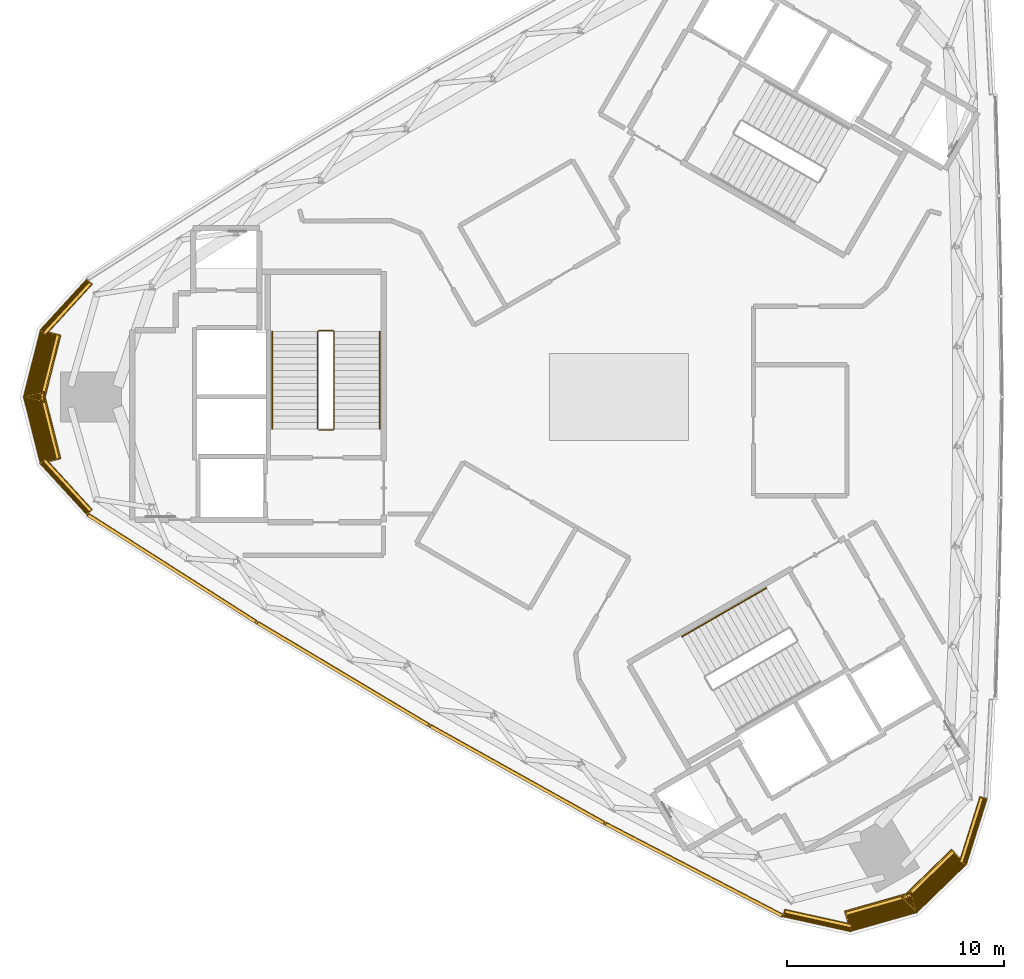
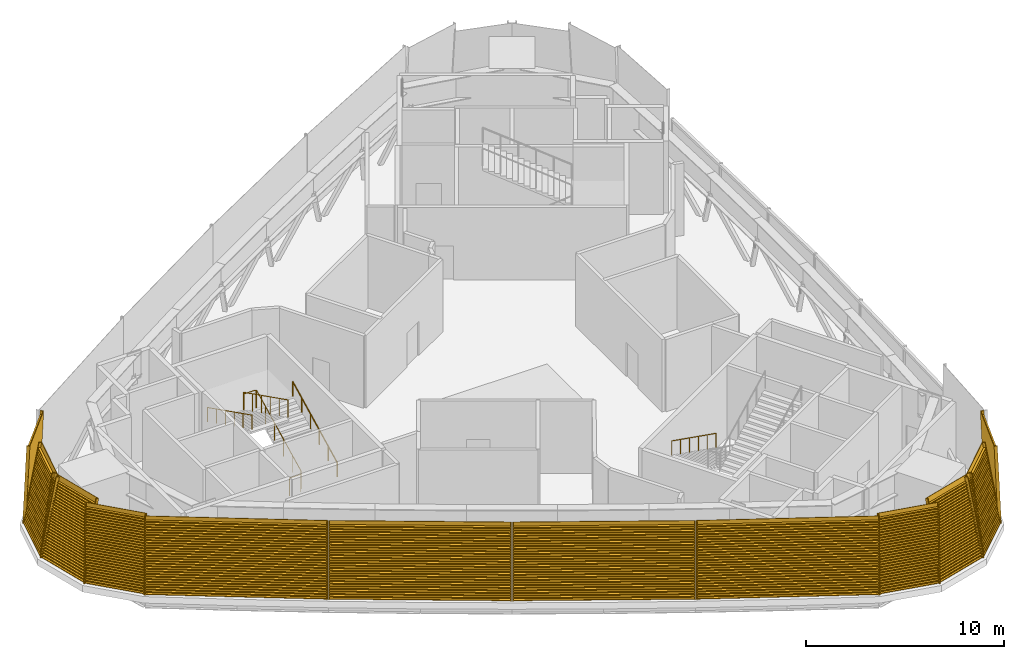
# One storey, part 16 of 18: 12 coverings, 4 railings.
"""IFC4 building model written with IfcOpenShell, lengths in metres."""

import ifcopenshell
import ifcopenshell.guid

model = None  # the IFC model being written
_history = None  # IfcOwnerHistory: only IFC2X3 demands one
_inside = {}  # id of a spatial element -> (the spatial element, [elements in it])
_under = {}  # id of a project, library or spatial element -> (it, [spatial elements below it])
_declared = {}  # id of a project -> (the project, [libraries it declares])
_typed = {}  # id of a type object -> (the type object, [elements of that type])
_made_of = {}  # id of a material, layer set ... -> (it, [elements and type objects made of it])


def new_model(schema):
    """Start an empty IFC model of exactly this schema.

    Asked for "IFC4X3", IfcOpenShell would pick the latest addendum, in which some entities
    have other attributes; the version numbers below select the first issue.
    IFC2X3 requires an IfcOwnerHistory on every rooted entity: one is made here for all.
    """
    global model, _history
    if schema == "IFC4X3":
        model = ifcopenshell.file(schema_version=(4, 3, 0, 0))
    else:
        model = ifcopenshell.file(schema=schema)
    _inside.clear()
    _under.clear()
    _declared.clear()
    _typed.clear()
    _made_of.clear()
    _history = None
    if model.schema == "IFC2X3":
        org = make("IfcOrganization", Name="unknown")
        user = make(
            "IfcPersonAndOrganization",
            ThePerson=make("IfcPerson", FamilyName="unknown"),
            TheOrganization=org,
        )
        app = make(
            "IfcApplication",
            ApplicationDeveloper=org,
            Version="unknown",
            ApplicationFullName="unknown",
            ApplicationIdentifier="unknown",
        )
        _history = make(
            "IfcOwnerHistory",
            OwningUser=user,
            OwningApplication=app,
            ChangeAction="ADDED",
            CreationDate=0,
        )
    return model


def make(cls, **values):
    """One entity of the class cls with the attributes given. An attribute that is None is left unset."""
    return model.create_entity(
        cls, **{name: value for name, value in values.items() if value is not None}
    )


def rooted(cls, **values):
    """An entity with a GlobalId (a new one), such as an element, a storey or a relation."""
    return make(cls, GlobalId=ifcopenshell.guid.new(), OwnerHistory=_history, **values)


def si_unit(unit_type, name, prefix=None):
    """IfcSIUnit, for example si_unit("LENGTHUNIT", "METRE", prefix="MILLI")."""
    return make("IfcSIUnit", UnitType=unit_type, Prefix=prefix, Name=name)


def assignment(units):
    """IfcUnitAssignment: the units of a project."""
    return None if units is None else make("IfcUnitAssignment", Units=units)


def point(xyz):
    """IfcCartesianPoint."""
    return None if xyz is None else make("IfcCartesianPoint", Coordinates=xyz)


def direction(xyz):
    """IfcDirection."""
    return None if xyz is None else make("IfcDirection", DirectionRatios=xyz)


def frame(location, z_axis=None, x_axis=None):
    """IfcAxis2Placement3D, a coordinate frame: its origin and axes. An axis left out is left unset."""
    return make(
        "IfcAxis2Placement3D",
        Location=point(location),
        Axis=direction(z_axis),
        RefDirection=direction(x_axis),
    )


def frame_2d(location, x_axis=None):
    """IfcAxis2Placement2D, a coordinate frame in the plane: its origin and x axis."""
    return make(
        "IfcAxis2Placement2D", Location=point(location), RefDirection=direction(x_axis)
    )


def origin():
    """The frame at (0, 0, 0) with its axes left unset."""
    return frame((0.0, 0.0, 0.0))


def origin_2d():
    """The frame at (0, 0) in the plane with its x axis left unset."""
    return frame_2d((0.0, 0.0))


def place(relative_to, where):
    """IfcLocalPlacement: puts the frame where relative to a parent placement (None: the world)."""
    return make(
        "IfcLocalPlacement", PlacementRelTo=relative_to, RelativePlacement=where
    )


def context(
    kind, dimensions, precision=None, world=None, true_north=None, identifier=None
):
    """IfcGeometricRepresentationContext, for example the 3D "Model" context."""
    return make(
        "IfcGeometricRepresentationContext",
        ContextIdentifier=identifier,
        ContextType=kind,
        CoordinateSpaceDimension=dimensions,
        Precision=precision,
        WorldCoordinateSystem=world,
        TrueNorth=true_north,
    )


def subcontext(parent, identifier, kind, view, scale=None):
    """IfcGeometricRepresentationSubContext, for example "Body" below "Model"."""
    return make(
        "IfcGeometricRepresentationSubContext",
        ContextIdentifier=identifier,
        ContextType=kind,
        ParentContext=parent,
        TargetScale=scale,
        TargetView=view,
    )


def project(units=None, contexts=None):
    """IfcProject with its units and contexts."""
    return rooted(
        "IfcProject",
        Name="project",
        RepresentationContexts=contexts,
        UnitsInContext=assignment(units),
    )


def spatial(cls, under=None, at=None, **own):
    """A site, building, storey or space (cls), placed at a placement, below another one or the project."""
    s = rooted(cls, ObjectPlacement=at, **own)
    if under is not None:
        _under.setdefault(under.id(), (under, []))[1].append(s)
    return s


def profile(cls, at=None, kind="AREA", **sizes):
    """A parametric profile (cls). Its sizes go by their IFC names, for example OverallWidth=200.0."""
    return make(cls, ProfileType=kind, Position=at, **sizes)


def rectangle(**sizes):
    """IfcRectangleProfileDef."""
    return profile("IfcRectangleProfileDef", **sizes)


def circle(**sizes):
    """IfcCircleProfileDef."""
    return profile("IfcCircleProfileDef", **sizes)


def extrude(swept, where, along, depth):
    """IfcExtrudedAreaSolid: the profile swept, set in the frame where, extruded along a direction by depth."""
    return make(
        "IfcExtrudedAreaSolid",
        SweptArea=swept,
        Position=where,
        ExtrudedDirection=direction(along),
        Depth=depth,
    )


def shape(context_of_items, identifier, shape_type, items):
    """IfcShapeRepresentation: the items that make up one representation, for example the "Body"."""
    return make(
        "IfcShapeRepresentation",
        ContextOfItems=context_of_items,
        RepresentationIdentifier=identifier,
        RepresentationType=shape_type,
        Items=items,
    )


def source(mapping_origin, context_of_items, identifier, shape_type, items):
    """IfcRepresentationMap: a shape defined once, which mapped items show again and again."""
    return make(
        "IfcRepresentationMap",
        MappingOrigin=mapping_origin,
        MappedRepresentation=shape(context_of_items, identifier, shape_type, items),
    )


def transform(
    local_origin,
    x_axis=None,
    y_axis=None,
    z_axis=None,
    scale=None,
    scale2=None,
    scale3=None,
    uniform=True,
):
    """IfcCartesianTransformationOperator3D, or its non-uniform kind. x_axis, y_axis, z_axis: its Axis1, 2, 3."""
    if uniform:
        return make(
            "IfcCartesianTransformationOperator3D",
            Axis1=direction(x_axis),
            Axis2=direction(y_axis),
            LocalOrigin=point(local_origin),
            Scale=scale,
            Axis3=direction(z_axis),
        )
    return make(
        "IfcCartesianTransformationOperator3DnonUniform",
        Axis1=direction(x_axis),
        Axis2=direction(y_axis),
        LocalOrigin=point(local_origin),
        Scale=scale,
        Axis3=direction(z_axis),
        Scale2=scale2,
        Scale3=scale3,
    )


def mapped(mapping_source, mapping_target):
    """IfcMappedItem: shows the shape of a source again, moved by a transform."""
    return make(
        "IfcMappedItem", MappingSource=mapping_source, MappingTarget=mapping_target
    )


def material(Name=None, Category=None):
    """IfcMaterial."""
    return make("IfcMaterial", Name=Name, Category=Category)


def made_of(thing, what):
    """Note that an element or type object is made of a material, layer set ...; save() writes the relation."""
    if what is not None:
        _made_of.setdefault(what.id(), (what, []))[1].append(thing)
    return thing


def type_object(cls, material=None, **own):
    """A type object (cls), such as IfcWallType, which elements share."""
    return made_of(rooted(cls, **own), material)


def element(
    cls,
    number,
    at=None,
    inside=None,
    cuts=None,
    type_object=None,
    material=None,
    context=None,
    identifier="Body",
    shape_type=None,
    held_by="IfcProductDefinitionShape",
    body=None,
    shapes=None,
    **own,
):
    """One element of the class cls, such as IfcWall. Its Tag is "e" and its number.

    at: its placement. inside: the storey or other place that contains it. cuts: it is an
    opening in that element (IfcRelVoidsElement). A single representation is given by context,
    identifier, shape_type and body (its items); several are given by shapes. held_by: the class
    of the entity that holds the representations. save() writes the other relations.
    """
    e = rooted(cls, Tag="e%d" % number, ObjectPlacement=at, **own)
    if body is not None:
        shapes = [shape(context, identifier, shape_type, body)]
    if shapes is not None:
        e.Representation = make(held_by, Representations=shapes)
    if inside is not None:
        _inside.setdefault(inside.id(), (inside, []))[1].append(e)
    if cuts is not None:
        rooted(
            "IfcRelVoidsElement", RelatingBuildingElement=cuts, RelatedOpeningElement=e
        )
    if type_object is not None:
        _typed.setdefault(type_object.id(), (type_object, []))[1].append(e)
    return made_of(e, material)


def aggregate(whole, parts):
    """IfcRelAggregates: a whole, such as a stair, and the parts it consists of."""
    return rooted("IfcRelAggregates", RelatingObject=whole, RelatedObjects=parts)


def save(model, path):
    """Write the relations noted so far, then the file.

    IfcRelAggregates (storeys below a building ...), IfcRelContainedInSpatialStructure (elements
    in a storey), IfcRelDefinesByType, IfcRelAssociatesMaterial and IfcRelDeclares: one each for
    every whole, place, type object, material and project.
    """
    for whole, parts in _under.values():
        aggregate(whole, parts)
    for where, things in _inside.values():
        rooted(
            "IfcRelContainedInSpatialStructure",
            RelatedElements=things,
            RelatingStructure=where,
        )
    for kind, things in _typed.values():
        rooted("IfcRelDefinesByType", RelatedObjects=things, RelatingType=kind)
    for what, things in _made_of.values():
        rooted("IfcRelAssociatesMaterial", RelatedObjects=things, RelatingMaterial=what)
    for by, libraries in _declared.values():
        rooted("IfcRelDeclares", RelatingContext=by, RelatedDefinitions=libraries)
    model.write(path)


model = new_model("IFC4")

# Units and contexts
model_context = context("Model", 3, precision=1e-05, world=origin(), true_north=direction((0.0, 1.0)))
body_context = subcontext(model_context, "Body", "Model", "MODEL_VIEW")
ifc_project = project(units=[si_unit("LENGTHUNIT", "METRE"), si_unit("AREAUNIT", "SQUARE_METRE"), si_unit("VOLUMEUNIT", "CUBIC_METRE"), si_unit("PLANEANGLEUNIT", "RADIAN"), si_unit("MASSUNIT", "GRAM", prefix="KILO")], contexts=[model_context])

# Site, building, storey
site_placement = place(None, origin())
site = spatial("IfcSite", under=ifc_project, at=site_placement, CompositionType="ELEMENT")
building_placement = place(site_placement, origin())
building = spatial("IfcBuilding", under=site, at=building_placement, Name="Tamra Quay Hotel Tower", CompositionType="ELEMENT")
storey_placement = place(building_placement, frame((0.0, 0.0, 257.39990234375)))
storey = spatial("IfcBuildingStorey", under=building, at=storey_placement, Name="L65", CompositionType="ELEMENT", Elevation=257.39990234375)

# Railings
ifc_material_1 = material(Name="Stair guard 1100")
railing_type_1 = type_object("IfcRailingType", Name="Stair guard 1100", PredefinedType="GUARDRAIL", material=ifc_material_1)
railing_1_placement = place(storey_placement, frame((-13.84130859375, -1.530029296875, 0.0)))
element("IfcRailing", 1, at=railing_1_placement, inside=storey, type_object=railing_type_1, Name="GR", PredefinedType="GUARDRAIL", context=body_context, shape_type="SweptSolid", body=[
    extrude(circle(Radius=0.02392578125, at=origin_2d()), frame((0.0, 0.0, 1.076171875), z_axis=(1.0, 0.0, 0.0), x_axis=(0.0, 1.0, 0.0)), (0.0, 0.0, 1.0), 0.658935546875),
    extrude(circle(Radius=0.02392578125, at=origin_2d()), frame((0.658935546875, 0.0, 1.076171875), z_axis=(0.301511344578, 0.301511344578, 0.904534033733), x_axis=(-0.707106781187, 0.707106781187, 0.0)), (0.0, 0.0, 1.0), 0.166015625),
    extrude(circle(Radius=0.02392578125, at=origin_2d()), frame((0.708984375, 0.050048828125, 1.22607421875), z_axis=(0.0, 0.893823034308, 0.448419873935), x_axis=(-1.0, 0.0, 0.0)), (0.0, 0.0, 1.0), 5.017578125),
    extrude(circle(Radius=0.02392578125, at=origin_2d()), frame((0.708984375, 4.534912109375, 3.47607421875), z_axis=(-0.707106781187, 0.707106781187, 0.0), x_axis=(-0.707106781187, -0.707106781187, 0.0)), (0.0, 0.0, 1.0), 0.07080078125),
    extrude(circle(Radius=0.02392578125, at=origin_2d()), frame((0.658935546875, 4.5849609375, 3.47607421875), z_axis=(-1.0, 0.0, 0.0), x_axis=(0.0, -1.0, 0.0)), (0.0, 0.0, 1.0), 0.658935546875),
    extrude(circle(Radius=0.02392578125, at=origin_2d()), frame((0.0, 4.5849609375, 3.47607421875), z_axis=(-0.301912943143, -0.301912943143, 0.904266083366), x_axis=(0.707106781187, -0.707106781187, 0.0)), (0.0, 0.0, 1.0), 0.165771484375),
    extrude(circle(Radius=0.02392578125, at=origin_2d()), frame((-0.050048828125, 4.534912109375, 3.6259765625), z_axis=(0.0, -0.893823034308, 0.448419873935), x_axis=(1.0, 0.0, 0.0)), (0.0, 0.0, 1.0), 5.017578125),
    extrude(circle(Radius=0.02099609375, at=origin_2d()), origin(), (0.0, 0.0, 1.0), 1.052001953125),
    extrude(circle(Radius=0.02099609375, at=origin_2d()), frame((0.658935546875, 0.0, 0.0)), (0.0, 0.0, 1.0), 1.052001953125),
    extrude(circle(Radius=0.02099609375, at=origin_2d()), frame((0.708984375, 0.050048828125, 0.150146484375)), (0.0, 0.0, 1.0), 1.052001953125),
    extrude(circle(Radius=0.02099609375, at=origin_2d()), frame((0.708984375, 0.947021484375, 0.60009765625)), (0.0, 0.0, 1.0), 1.052001953125),
    extrude(circle(Radius=0.02099609375, at=origin_2d()), frame((0.708984375, 1.843994140625, 1.050048828125)), (0.0, 0.0, 1.0), 1.052001953125),
    extrude(circle(Radius=0.02099609375, at=origin_2d()), frame((0.708984375, 2.740966796875, 1.500244140625)), (0.0, 0.0, 1.0), 1.052001953125),
    extrude(circle(Radius=0.02099609375, at=origin_2d()), frame((0.708984375, 3.637939453125, 1.9501953125)), (0.0, 0.0, 1.0), 1.052001953125),
    extrude(circle(Radius=0.02099609375, at=origin_2d()), frame((0.708984375, 4.534912109375, 2.400146484375)), (0.0, 0.0, 1.0), 1.052001953125),
    extrude(circle(Radius=0.02099609375, at=origin_2d()), frame((0.658935546875, 4.5849609375, 2.400146484375)), (0.0, 0.0, 1.0), 1.052001953125),
    extrude(circle(Radius=0.02099609375, at=origin_2d()), frame((0.0, 4.5849609375, 2.400146484375)), (0.0, 0.0, 1.0), 1.052001953125),
    extrude(circle(Radius=0.02099609375, at=origin_2d()), frame((-0.050048828125, 4.534912109375, 2.550048828125)), (0.0, 0.0, 1.0), 1.052001953125),
    extrude(circle(Radius=0.02099609375, at=origin_2d()), frame((-0.050048828125, 3.637939453125, 3.0)), (0.0, 0.0, 1.0), 1.052001953125),
    extrude(circle(Radius=0.02099609375, at=origin_2d()), frame((-0.050048828125, 2.740966796875, 3.449951171875)), (0.0, 0.0, 1.0), 1.052001953125),
    extrude(circle(Radius=0.02099609375, at=origin_2d()), frame((-0.050048828125, 1.843994140625, 3.900146484375)), (0.0, 0.0, 1.0), 1.052001953125),
    extrude(circle(Radius=0.02099609375, at=origin_2d()), frame((-0.050048828125, 0.947021484375, 4.35009765625)), (0.0, 0.0, 1.0), 1.052001953125),
    extrude(circle(Radius=0.02099609375, at=origin_2d()), frame((-0.050048828125, 0.050048828125, 4.800048828125)), (0.0, 0.0, 1.0), 1.052001953125),
])
ifc_material_2 = material(Name="Stair handrail 900")
railing_type_2 = type_object("IfcRailingType", Name="Stair handrail 900", PredefinedType="HANDRAIL", material=ifc_material_2)
railing_2_placement = place(storey_placement, frame((-11.0322265625, -1.47998046875, 0.150146484375)))
element("IfcRailing", 2, at=railing_2_placement, inside=storey, type_object=railing_type_2, Name="HR", PredefinedType="HANDRAIL", context=body_context, shape_type="SweptSolid", body=[
    extrude(circle(Radius=0.02392578125, at=origin_2d()), frame((0.0, 0.0, 0.8759765625), z_axis=(0.0, 0.893823034308, 0.448419873935), x_axis=(-1.0, 0.0, 0.0)), (0.0, 0.0, 1.0), 5.017578125),
    extrude(circle(Radius=0.02099609375, at=origin_2d()), origin(), (0.0, 0.0, 1.0), 0.851806640625),
    extrude(circle(Radius=0.02099609375, at=origin_2d()), frame((0.0, 0.89697265625, 0.449951171875)), (0.0, 0.0, 1.0), 0.851806640625),
    extrude(circle(Radius=0.02099609375, at=origin_2d()), frame((0.0, 1.7939453125, 0.89990234375)), (0.0, 0.0, 1.0), 0.851806640625),
    extrude(circle(Radius=0.02099609375, at=origin_2d()), frame((0.0, 2.69091796875, 1.35009765625)), (0.0, 0.0, 1.0), 0.851806640625),
    extrude(circle(Radius=0.02099609375, at=origin_2d()), frame((0.0, 3.587890625, 1.800048828125)), (0.0, 0.0, 1.0), 0.851806640625),
    extrude(circle(Radius=0.02099609375, at=origin_2d()), frame((0.0, 4.48486328125, 2.25)), (0.0, 0.0, 1.0), 0.851806640625),
])
railing_3_placement = place(storey_placement, frame((-15.9912109375, 3.0048828125, 2.550048828125)))
element("IfcRailing", 3, at=railing_3_placement, inside=storey, type_object=railing_type_2, Name="HR", PredefinedType="HANDRAIL", context=body_context, shape_type="SweptSolid", body=[
    extrude(circle(Radius=0.02392578125, at=origin_2d()), frame((0.0, 0.0, 0.8759765625), z_axis=(0.0, -0.893823034308, 0.448419873935), x_axis=(1.0, 0.0, 0.0)), (0.0, 0.0, 1.0), 5.017578125),
    extrude(circle(Radius=0.02099609375, at=origin_2d()), origin(), (0.0, 0.0, 1.0), 0.851806640625),
    extrude(circle(Radius=0.02099609375, at=origin_2d()), frame((0.0, -0.89697265625, 0.449951171875)), (0.0, 0.0, 1.0), 0.851806640625),
    extrude(circle(Radius=0.02099609375, at=origin_2d()), frame((0.0, -1.7939453125, 0.89990234375)), (0.0, 0.0, 1.0), 0.851806640625),
    extrude(circle(Radius=0.02099609375, at=origin_2d()), frame((0.0, -2.69091796875, 1.35009765625)), (0.0, 0.0, 1.0), 0.851806640625),
    extrude(circle(Radius=0.02099609375, at=origin_2d()), frame((0.0, -3.587890625, 1.800048828125)), (0.0, 0.0, 1.0), 0.851806640625),
    extrude(circle(Radius=0.02099609375, at=origin_2d()), frame((0.0, -4.48486328125, 2.25)), (0.0, 0.0, 1.0), 0.851806640625),
])
railing_4_placement = place(storey_placement, frame((6.7978515625, -8.814208984375, 0.150146484375)))
element("IfcRailing", 4, at=railing_4_placement, inside=storey, type_object=railing_type_2, Name="HR", PredefinedType="HANDRAIL", context=body_context, shape_type="SweptSolid", body=[
    extrude(circle(Radius=0.02392578125, at=origin_2d()), frame((0.0, 0.0, 0.8759765625), z_axis=(-0.774075664405, -0.446909609502, 0.448417959844), x_axis=(0.499997328569, -0.86602694613, 0.0)), (0.0, 0.0, 1.0), 5.017578125),
    extrude(circle(Radius=0.02099609375, at=origin_2d()), origin(), (0.0, 0.0, 1.0), 0.851806640625),
    extrude(circle(Radius=0.02099609375, at=origin_2d()), frame((-0.77685546875, -0.448486328125, 0.449951171875)), (0.0, 0.0, 1.0), 0.851806640625),
    extrude(circle(Radius=0.02099609375, at=origin_2d()), frame((-1.5537109375, -0.89697265625, 0.89990234375)), (0.0, 0.0, 1.0), 0.851806640625),
    extrude(circle(Radius=0.02099609375, at=origin_2d()), frame((-2.330322265625, -1.345458984375, 1.35009765625)), (0.0, 0.0, 1.0), 0.851806640625),
    extrude(circle(Radius=0.02099609375, at=origin_2d()), frame((-3.107177734375, -1.7939453125, 1.800048828125)), (0.0, 0.0, 1.0), 0.851806640625),
    extrude(circle(Radius=0.02099609375, at=origin_2d()), frame((-3.884033203125, -2.242431640625, 2.25)), (0.0, 0.0, 1.0), 0.851806640625),
])

# Coverings
ifc_material_3 = material(Name="Terracotta louvre panel", Category="masonry")
covering_type_1 = type_object("IfcCoveringType", Name="PLANT LOUVRE H4805", PredefinedType="USERDEFINED", material=ifc_material_3)
shared_shape_1 = source(origin(), body_context, "Body", "SweptSolid", [
    extrude(rectangle(XDim=3.219970703125, YDim=0.030029296875, at=frame_2d((1.60986328125, 0.01513671875))), frame((-1.610107421875, -0.030029296875, 0.0)), (0.0, 0.0, 1.0), 4.804931640625),
    extrude(rectangle(XDim=0.050048828125, YDim=0.139892578125, at=frame_2d((0.02490234375, 0.06982421875))), frame((-1.610107421875, -0.169921875, 0.0)), (0.0, 0.0, 1.0), 4.804931640625),
    extrude(rectangle(XDim=0.050048828125, YDim=0.139892578125, at=frame_2d((0.02490234375, 0.06982421875))), frame((1.56005859375, -0.169921875, 0.0)), (0.0, 0.0, 1.0), 4.804931640625),
    extrude(rectangle(XDim=3.1201171875, YDim=0.139892578125, at=frame_2d((1.56005859375, 0.06982421875))), frame((-1.56005859375, -0.169921875, 0.050048828125)), (0.0, 0.0, 1.0), 0.034912109375),
    extrude(rectangle(XDim=3.1201171875, YDim=0.139892578125, at=frame_2d((1.56005859375, 0.06982421875))), frame((-1.56005859375, -0.169921875, 0.2099609375)), (0.0, 0.0, 1.0), 0.034912109375),
    extrude(rectangle(XDim=3.1201171875, YDim=0.139892578125, at=frame_2d((1.56005859375, 0.06982421875))), frame((-1.56005859375, -0.169921875, 0.3701171875)), (0.0, 0.0, 1.0), 0.034912109375),
    extrude(rectangle(XDim=3.1201171875, YDim=0.139892578125, at=frame_2d((1.56005859375, 0.06982421875))), frame((-1.56005859375, -0.169921875, 0.530029296875)), (0.0, 0.0, 1.0), 0.034912109375),
    extrude(rectangle(XDim=3.1201171875, YDim=0.139892578125, at=frame_2d((1.56005859375, 0.06982421875))), frame((-1.56005859375, -0.169921875, 0.68994140625)), (0.0, 0.0, 1.0), 0.034912109375),
    extrude(rectangle(XDim=3.1201171875, YDim=0.139892578125, at=frame_2d((1.56005859375, 0.06982421875))), frame((-1.56005859375, -0.169921875, 0.85009765625)), (0.0, 0.0, 1.0), 0.034912109375),
    extrude(rectangle(XDim=3.1201171875, YDim=0.139892578125, at=frame_2d((1.56005859375, 0.06982421875))), frame((-1.56005859375, -0.169921875, 1.010009765625)), (0.0, 0.0, 1.0), 0.034912109375),
    extrude(rectangle(XDim=3.1201171875, YDim=0.139892578125, at=frame_2d((1.56005859375, 0.06982421875))), frame((-1.56005859375, -0.169921875, 1.169921875)), (0.0, 0.0, 1.0), 0.034912109375),
    extrude(rectangle(XDim=3.1201171875, YDim=0.139892578125, at=frame_2d((1.56005859375, 0.06982421875))), frame((-1.56005859375, -0.169921875, 1.330078125)), (0.0, 0.0, 1.0), 0.034912109375),
    extrude(rectangle(XDim=3.1201171875, YDim=0.139892578125, at=frame_2d((1.56005859375, 0.06982421875))), frame((-1.56005859375, -0.169921875, 1.489990234375)), (0.0, 0.0, 1.0), 0.034912109375),
    extrude(rectangle(XDim=3.1201171875, YDim=0.139892578125, at=frame_2d((1.56005859375, 0.06982421875))), frame((-1.56005859375, -0.169921875, 1.64990234375)), (0.0, 0.0, 1.0), 0.034912109375),
    extrude(rectangle(XDim=3.1201171875, YDim=0.139892578125, at=frame_2d((1.56005859375, 0.06982421875))), frame((-1.56005859375, -0.169921875, 1.81005859375)), (0.0, 0.0, 1.0), 0.034912109375),
    extrude(rectangle(XDim=3.1201171875, YDim=0.139892578125, at=frame_2d((1.56005859375, 0.06982421875))), frame((-1.56005859375, -0.169921875, 1.969970703125)), (0.0, 0.0, 1.0), 0.034912109375),
    extrude(rectangle(XDim=3.1201171875, YDim=0.139892578125, at=frame_2d((1.56005859375, 0.06982421875))), frame((-1.56005859375, -0.169921875, 2.1298828125)), (0.0, 0.0, 1.0), 0.034912109375),
    extrude(rectangle(XDim=3.1201171875, YDim=0.139892578125, at=frame_2d((1.56005859375, 0.06982421875))), frame((-1.56005859375, -0.169921875, 2.2900390625)), (0.0, 0.0, 1.0), 0.034912109375),
    extrude(rectangle(XDim=3.1201171875, YDim=0.139892578125, at=frame_2d((1.56005859375, 0.06982421875))), frame((-1.56005859375, -0.169921875, 2.449951171875)), (0.0, 0.0, 1.0), 0.034912109375),
    extrude(rectangle(XDim=3.1201171875, YDim=0.139892578125, at=frame_2d((1.56005859375, 0.06982421875))), frame((-1.56005859375, -0.169921875, 2.610107421875)), (0.0, 0.0, 1.0), 0.034912109375),
    extrude(rectangle(XDim=3.1201171875, YDim=0.139892578125, at=frame_2d((1.56005859375, 0.06982421875))), frame((-1.56005859375, -0.169921875, 2.77001953125)), (0.0, 0.0, 1.0), 0.034912109375),
    extrude(rectangle(XDim=3.1201171875, YDim=0.139892578125, at=frame_2d((1.56005859375, 0.06982421875))), frame((-1.56005859375, -0.169921875, 2.929931640625)), (0.0, 0.0, 1.0), 0.034912109375),
    extrude(rectangle(XDim=3.1201171875, YDim=0.139892578125, at=frame_2d((1.56005859375, 0.06982421875))), frame((-1.56005859375, -0.169921875, 3.090087890625)), (0.0, 0.0, 1.0), 0.034912109375),
    extrude(rectangle(XDim=3.1201171875, YDim=0.139892578125, at=frame_2d((1.56005859375, 0.06982421875))), frame((-1.56005859375, -0.169921875, 3.25)), (0.0, 0.0, 1.0), 0.034912109375),
    extrude(rectangle(XDim=3.1201171875, YDim=0.139892578125, at=frame_2d((1.56005859375, 0.06982421875))), frame((-1.56005859375, -0.169921875, 3.409912109375)), (0.0, 0.0, 1.0), 0.034912109375),
    extrude(rectangle(XDim=3.1201171875, YDim=0.139892578125, at=frame_2d((1.56005859375, 0.06982421875))), frame((-1.56005859375, -0.169921875, 3.570068359375)), (0.0, 0.0, 1.0), 0.034912109375),
    extrude(rectangle(XDim=3.1201171875, YDim=0.139892578125, at=frame_2d((1.56005859375, 0.06982421875))), frame((-1.56005859375, -0.169921875, 3.72998046875)), (0.0, 0.0, 1.0), 0.034912109375),
    extrude(rectangle(XDim=3.1201171875, YDim=0.139892578125, at=frame_2d((1.56005859375, 0.06982421875))), frame((-1.56005859375, -0.169921875, 3.889892578125)), (0.0, 0.0, 1.0), 0.034912109375),
    extrude(rectangle(XDim=3.1201171875, YDim=0.139892578125, at=frame_2d((1.56005859375, 0.06982421875))), frame((-1.56005859375, -0.169921875, 4.050048828125)), (0.0, 0.0, 1.0), 0.034912109375),
    extrude(rectangle(XDim=3.1201171875, YDim=0.139892578125, at=frame_2d((1.56005859375, 0.06982421875))), frame((-1.56005859375, -0.169921875, 4.2099609375)), (0.0, 0.0, 1.0), 0.034912109375),
    extrude(rectangle(XDim=3.1201171875, YDim=0.139892578125, at=frame_2d((1.56005859375, 0.06982421875))), frame((-1.56005859375, -0.169921875, 4.3701171875)), (0.0, 0.0, 1.0), 0.034912109375),
    extrude(rectangle(XDim=3.1201171875, YDim=0.139892578125, at=frame_2d((1.56005859375, 0.06982421875))), frame((-1.56005859375, -0.169921875, 4.530029296875)), (0.0, 0.0, 1.0), 0.034912109375),
])
for number, where, z_axis, x_axis, name in (
    (5, (-25.504638671875, 4.153076171875, 0.0), (0.032165678322, -0.02946218071, 0.999048221582), (-0.675437746601, -0.737417012596, 0.0), "Plant louvre L65.NW.c00"),
    (6, (-25.504638671875, -4.153076171875, 0.0), (0.032165678322, 0.02946218071, 0.999048221582), (0.675437746601, -0.737417012596, 0.0), "Plant louvre L65.NW.c03"),
    (7, (9.155517578125, -24.164306640625, 0.0), (0.009432157785, 0.042587384912, 0.999048221582), (0.976340739392, -0.216237740934, 0.0), "Plant louvre L65.SW.c00"),
    (8, (16.34912109375, -20.010986328125, 0.0), (-0.041597836107, 0.013125204202, 0.999048221582), (0.30090299279, 0.95365475353, 0.0), "Plant louvre L65.SW.c03"),
):
    element("IfcCovering", number, at=place(storey_placement, frame(where, z_axis=z_axis, x_axis=x_axis)), inside=storey, type_object=covering_type_1, Name=name, ObjectType="LOUVER", PredefinedType="USERDEFINED", context=body_context, shape_type="MappedRepresentation", body=[
        mapped(shared_shape_1, transform((0.0, 0.0, 0.0), scale=1.0)),
    ])
covering_type_2 = type_object("IfcCoveringType", Name="PLANT LOUVRE H4874", PredefinedType="USERDEFINED", material=ifc_material_3)
shared_shape_2 = source(origin(), body_context, "Body", "SweptSolid", [
    extrude(rectangle(XDim=3.219970703125, YDim=0.030029296875, at=frame_2d((1.60986328125, 0.01513671875))), frame((-1.610107421875, -0.030029296875, 0.0)), (0.0, 0.0, 1.0), 4.8740234375),
    extrude(rectangle(XDim=0.050048828125, YDim=0.139892578125, at=frame_2d((0.02490234375, 0.06982421875))), frame((-1.610107421875, -0.169921875, 0.0)), (0.0, 0.0, 1.0), 4.8740234375),
    extrude(rectangle(XDim=0.050048828125, YDim=0.139892578125, at=frame_2d((0.02490234375, 0.06982421875))), frame((1.56005859375, -0.169921875, 0.0)), (0.0, 0.0, 1.0), 4.8740234375),
    extrude(rectangle(XDim=3.1201171875, YDim=0.139892578125, at=frame_2d((1.56005859375, 0.06982421875))), frame((-1.56005859375, -0.169921875, 0.050048828125)), (0.0, 0.0, 1.0), 0.034912109375),
    extrude(rectangle(XDim=3.1201171875, YDim=0.139892578125, at=frame_2d((1.56005859375, 0.06982421875))), frame((-1.56005859375, -0.169921875, 0.2099609375)), (0.0, 0.0, 1.0), 0.034912109375),
    extrude(rectangle(XDim=3.1201171875, YDim=0.139892578125, at=frame_2d((1.56005859375, 0.06982421875))), frame((-1.56005859375, -0.169921875, 0.3701171875)), (0.0, 0.0, 1.0), 0.034912109375),
    extrude(rectangle(XDim=3.1201171875, YDim=0.139892578125, at=frame_2d((1.56005859375, 0.06982421875))), frame((-1.56005859375, -0.169921875, 0.530029296875)), (0.0, 0.0, 1.0), 0.034912109375),
    extrude(rectangle(XDim=3.1201171875, YDim=0.139892578125, at=frame_2d((1.56005859375, 0.06982421875))), frame((-1.56005859375, -0.169921875, 0.68994140625)), (0.0, 0.0, 1.0), 0.034912109375),
    extrude(rectangle(XDim=3.1201171875, YDim=0.139892578125, at=frame_2d((1.56005859375, 0.06982421875))), frame((-1.56005859375, -0.169921875, 0.85009765625)), (0.0, 0.0, 1.0), 0.034912109375),
    extrude(rectangle(XDim=3.1201171875, YDim=0.139892578125, at=frame_2d((1.56005859375, 0.06982421875))), frame((-1.56005859375, -0.169921875, 1.010009765625)), (0.0, 0.0, 1.0), 0.034912109375),
    extrude(rectangle(XDim=3.1201171875, YDim=0.139892578125, at=frame_2d((1.56005859375, 0.06982421875))), frame((-1.56005859375, -0.169921875, 1.169921875)), (0.0, 0.0, 1.0), 0.034912109375),
    extrude(rectangle(XDim=3.1201171875, YDim=0.139892578125, at=frame_2d((1.56005859375, 0.06982421875))), frame((-1.56005859375, -0.169921875, 1.330078125)), (0.0, 0.0, 1.0), 0.034912109375),
    extrude(rectangle(XDim=3.1201171875, YDim=0.139892578125, at=frame_2d((1.56005859375, 0.06982421875))), frame((-1.56005859375, -0.169921875, 1.489990234375)), (0.0, 0.0, 1.0), 0.034912109375),
    extrude(rectangle(XDim=3.1201171875, YDim=0.139892578125, at=frame_2d((1.56005859375, 0.06982421875))), frame((-1.56005859375, -0.169921875, 1.64990234375)), (0.0, 0.0, 1.0), 0.034912109375),
    extrude(rectangle(XDim=3.1201171875, YDim=0.139892578125, at=frame_2d((1.56005859375, 0.06982421875))), frame((-1.56005859375, -0.169921875, 1.81005859375)), (0.0, 0.0, 1.0), 0.034912109375),
    extrude(rectangle(XDim=3.1201171875, YDim=0.139892578125, at=frame_2d((1.56005859375, 0.06982421875))), frame((-1.56005859375, -0.169921875, 1.969970703125)), (0.0, 0.0, 1.0), 0.034912109375),
    extrude(rectangle(XDim=3.1201171875, YDim=0.139892578125, at=frame_2d((1.56005859375, 0.06982421875))), frame((-1.56005859375, -0.169921875, 2.1298828125)), (0.0, 0.0, 1.0), 0.034912109375),
    extrude(rectangle(XDim=3.1201171875, YDim=0.139892578125, at=frame_2d((1.56005859375, 0.06982421875))), frame((-1.56005859375, -0.169921875, 2.2900390625)), (0.0, 0.0, 1.0), 0.034912109375),
    extrude(rectangle(XDim=3.1201171875, YDim=0.139892578125, at=frame_2d((1.56005859375, 0.06982421875))), frame((-1.56005859375, -0.169921875, 2.449951171875)), (0.0, 0.0, 1.0), 0.034912109375),
    extrude(rectangle(XDim=3.1201171875, YDim=0.139892578125, at=frame_2d((1.56005859375, 0.06982421875))), frame((-1.56005859375, -0.169921875, 2.610107421875)), (0.0, 0.0, 1.0), 0.034912109375),
    extrude(rectangle(XDim=3.1201171875, YDim=0.139892578125, at=frame_2d((1.56005859375, 0.06982421875))), frame((-1.56005859375, -0.169921875, 2.77001953125)), (0.0, 0.0, 1.0), 0.034912109375),
    extrude(rectangle(XDim=3.1201171875, YDim=0.139892578125, at=frame_2d((1.56005859375, 0.06982421875))), frame((-1.56005859375, -0.169921875, 2.929931640625)), (0.0, 0.0, 1.0), 0.034912109375),
    extrude(rectangle(XDim=3.1201171875, YDim=0.139892578125, at=frame_2d((1.56005859375, 0.06982421875))), frame((-1.56005859375, -0.169921875, 3.090087890625)), (0.0, 0.0, 1.0), 0.034912109375),
    extrude(rectangle(XDim=3.1201171875, YDim=0.139892578125, at=frame_2d((1.56005859375, 0.06982421875))), frame((-1.56005859375, -0.169921875, 3.25)), (0.0, 0.0, 1.0), 0.034912109375),
    extrude(rectangle(XDim=3.1201171875, YDim=0.139892578125, at=frame_2d((1.56005859375, 0.06982421875))), frame((-1.56005859375, -0.169921875, 3.409912109375)), (0.0, 0.0, 1.0), 0.034912109375),
    extrude(rectangle(XDim=3.1201171875, YDim=0.139892578125, at=frame_2d((1.56005859375, 0.06982421875))), frame((-1.56005859375, -0.169921875, 3.570068359375)), (0.0, 0.0, 1.0), 0.034912109375),
    extrude(rectangle(XDim=3.1201171875, YDim=0.139892578125, at=frame_2d((1.56005859375, 0.06982421875))), frame((-1.56005859375, -0.169921875, 3.72998046875)), (0.0, 0.0, 1.0), 0.034912109375),
    extrude(rectangle(XDim=3.1201171875, YDim=0.139892578125, at=frame_2d((1.56005859375, 0.06982421875))), frame((-1.56005859375, -0.169921875, 3.889892578125)), (0.0, 0.0, 1.0), 0.034912109375),
    extrude(rectangle(XDim=3.1201171875, YDim=0.139892578125, at=frame_2d((1.56005859375, 0.06982421875))), frame((-1.56005859375, -0.169921875, 4.050048828125)), (0.0, 0.0, 1.0), 0.034912109375),
    extrude(rectangle(XDim=3.1201171875, YDim=0.139892578125, at=frame_2d((1.56005859375, 0.06982421875))), frame((-1.56005859375, -0.169921875, 4.2099609375)), (0.0, 0.0, 1.0), 0.034912109375),
    extrude(rectangle(XDim=3.1201171875, YDim=0.139892578125, at=frame_2d((1.56005859375, 0.06982421875))), frame((-1.56005859375, -0.169921875, 4.3701171875)), (0.0, 0.0, 1.0), 0.034912109375),
    extrude(rectangle(XDim=3.1201171875, YDim=0.139892578125, at=frame_2d((1.56005859375, 0.06982421875))), frame((-1.56005859375, -0.169921875, 4.530029296875)), (0.0, 0.0, 1.0), 0.034912109375),
])
for number, where, z_axis, x_axis, name in (
    (9, (-26.932373046875, 1.50439453125, 0.0), (0.168370100686, -0.042487631165, 0.984807753012), (-0.244676516252, -0.969604766075, 0.0), "Plant louvre L65.NW.c01"),
    (10, (-26.932373046875, -1.50439453125, 0.0), (0.168370100686, 0.042487631165, 0.984807753012), (0.244676516252, -0.969604766075, 0.0), "Plant louvre L65.NW.c02"),
    (11, (12.163330078125, -24.076416015625, 0.0), (-0.047389682407, 0.167056600014, 0.984807753012), (0.962040617177, 0.272906304254, 0.0), "Plant louvre L65.SW.c01"),
    (12, (14.76904296875, -22.57177734375, 0.0), (-0.120980418279, 0.124568968849, 0.984807753012), (0.717364100925, 0.696698461821, 0.0), "Plant louvre L65.SW.c02"),
):
    element("IfcCovering", number, at=place(storey_placement, frame(where, z_axis=z_axis, x_axis=x_axis)), inside=storey, type_object=covering_type_2, Name=name, ObjectType="LOUVER", PredefinedType="USERDEFINED", context=body_context, shape_type="MappedRepresentation", body=[
        mapped(shared_shape_2, transform((0.0, 0.0, 0.0), scale=1.0)),
    ])
covering_type_3 = type_object("IfcCoveringType", Name="PLANT LOUVRE H4800", PredefinedType="USERDEFINED", material=ifc_material_3)
shared_shape_3 = source(origin(), body_context, "Body", "SweptSolid", [
    extrude(rectangle(XDim=9.239990234375, YDim=0.030029296875, at=frame_2d((4.6201171875, 0.01513671875))), frame((-4.6201171875, -0.030029296875, 0.0)), (0.0, 0.0, 1.0), 4.800048828125),
    extrude(rectangle(XDim=0.050048828125, YDim=0.139892578125, at=frame_2d((0.02490234375, 0.06982421875))), frame((-4.6201171875, -0.169921875, 0.0)), (0.0, 0.0, 1.0), 4.800048828125),
    extrude(rectangle(XDim=0.050048828125, YDim=0.139892578125, at=frame_2d((0.02490234375, 0.06982421875))), frame((4.570068359375, -0.169921875, 0.0)), (0.0, 0.0, 1.0), 4.800048828125),
    extrude(rectangle(XDim=9.139892578125, YDim=0.139892578125, at=frame_2d((4.56982421875, 0.06982421875))), frame((-4.570068359375, -0.169921875, 0.050048828125)), (0.0, 0.0, 1.0), 0.034912109375),
    extrude(rectangle(XDim=9.139892578125, YDim=0.139892578125, at=frame_2d((4.56982421875, 0.06982421875))), frame((-4.570068359375, -0.169921875, 0.2099609375)), (0.0, 0.0, 1.0), 0.034912109375),
    extrude(rectangle(XDim=9.139892578125, YDim=0.139892578125, at=frame_2d((4.56982421875, 0.06982421875))), frame((-4.570068359375, -0.169921875, 0.3701171875)), (0.0, 0.0, 1.0), 0.034912109375),
    extrude(rectangle(XDim=9.139892578125, YDim=0.139892578125, at=frame_2d((4.56982421875, 0.06982421875))), frame((-4.570068359375, -0.169921875, 0.530029296875)), (0.0, 0.0, 1.0), 0.034912109375),
    extrude(rectangle(XDim=9.139892578125, YDim=0.139892578125, at=frame_2d((4.56982421875, 0.06982421875))), frame((-4.570068359375, -0.169921875, 0.68994140625)), (0.0, 0.0, 1.0), 0.034912109375),
    extrude(rectangle(XDim=9.139892578125, YDim=0.139892578125, at=frame_2d((4.56982421875, 0.06982421875))), frame((-4.570068359375, -0.169921875, 0.85009765625)), (0.0, 0.0, 1.0), 0.034912109375),
    extrude(rectangle(XDim=9.139892578125, YDim=0.139892578125, at=frame_2d((4.56982421875, 0.06982421875))), frame((-4.570068359375, -0.169921875, 1.010009765625)), (0.0, 0.0, 1.0), 0.034912109375),
    extrude(rectangle(XDim=9.139892578125, YDim=0.139892578125, at=frame_2d((4.56982421875, 0.06982421875))), frame((-4.570068359375, -0.169921875, 1.169921875)), (0.0, 0.0, 1.0), 0.034912109375),
    extrude(rectangle(XDim=9.139892578125, YDim=0.139892578125, at=frame_2d((4.56982421875, 0.06982421875))), frame((-4.570068359375, -0.169921875, 1.330078125)), (0.0, 0.0, 1.0), 0.034912109375),
    extrude(rectangle(XDim=9.139892578125, YDim=0.139892578125, at=frame_2d((4.56982421875, 0.06982421875))), frame((-4.570068359375, -0.169921875, 1.489990234375)), (0.0, 0.0, 1.0), 0.034912109375),
    extrude(rectangle(XDim=9.139892578125, YDim=0.139892578125, at=frame_2d((4.56982421875, 0.06982421875))), frame((-4.570068359375, -0.169921875, 1.64990234375)), (0.0, 0.0, 1.0), 0.034912109375),
    extrude(rectangle(XDim=9.139892578125, YDim=0.139892578125, at=frame_2d((4.56982421875, 0.06982421875))), frame((-4.570068359375, -0.169921875, 1.81005859375)), (0.0, 0.0, 1.0), 0.034912109375),
    extrude(rectangle(XDim=9.139892578125, YDim=0.139892578125, at=frame_2d((4.56982421875, 0.06982421875))), frame((-4.570068359375, -0.169921875, 1.969970703125)), (0.0, 0.0, 1.0), 0.034912109375),
    extrude(rectangle(XDim=9.139892578125, YDim=0.139892578125, at=frame_2d((4.56982421875, 0.06982421875))), frame((-4.570068359375, -0.169921875, 2.1298828125)), (0.0, 0.0, 1.0), 0.034912109375),
    extrude(rectangle(XDim=9.139892578125, YDim=0.139892578125, at=frame_2d((4.56982421875, 0.06982421875))), frame((-4.570068359375, -0.169921875, 2.2900390625)), (0.0, 0.0, 1.0), 0.034912109375),
    extrude(rectangle(XDim=9.139892578125, YDim=0.139892578125, at=frame_2d((4.56982421875, 0.06982421875))), frame((-4.570068359375, -0.169921875, 2.449951171875)), (0.0, 0.0, 1.0), 0.034912109375),
    extrude(rectangle(XDim=9.139892578125, YDim=0.139892578125, at=frame_2d((4.56982421875, 0.06982421875))), frame((-4.570068359375, -0.169921875, 2.610107421875)), (0.0, 0.0, 1.0), 0.034912109375),
    extrude(rectangle(XDim=9.139892578125, YDim=0.139892578125, at=frame_2d((4.56982421875, 0.06982421875))), frame((-4.570068359375, -0.169921875, 2.77001953125)), (0.0, 0.0, 1.0), 0.034912109375),
    extrude(rectangle(XDim=9.139892578125, YDim=0.139892578125, at=frame_2d((4.56982421875, 0.06982421875))), frame((-4.570068359375, -0.169921875, 2.929931640625)), (0.0, 0.0, 1.0), 0.034912109375),
    extrude(rectangle(XDim=9.139892578125, YDim=0.139892578125, at=frame_2d((4.56982421875, 0.06982421875))), frame((-4.570068359375, -0.169921875, 3.090087890625)), (0.0, 0.0, 1.0), 0.034912109375),
    extrude(rectangle(XDim=9.139892578125, YDim=0.139892578125, at=frame_2d((4.56982421875, 0.06982421875))), frame((-4.570068359375, -0.169921875, 3.25)), (0.0, 0.0, 1.0), 0.034912109375),
    extrude(rectangle(XDim=9.139892578125, YDim=0.139892578125, at=frame_2d((4.56982421875, 0.06982421875))), frame((-4.570068359375, -0.169921875, 3.409912109375)), (0.0, 0.0, 1.0), 0.034912109375),
    extrude(rectangle(XDim=9.139892578125, YDim=0.139892578125, at=frame_2d((4.56982421875, 0.06982421875))), frame((-4.570068359375, -0.169921875, 3.570068359375)), (0.0, 0.0, 1.0), 0.034912109375),
    extrude(rectangle(XDim=9.139892578125, YDim=0.139892578125, at=frame_2d((4.56982421875, 0.06982421875))), frame((-4.570068359375, -0.169921875, 3.72998046875)), (0.0, 0.0, 1.0), 0.034912109375),
    extrude(rectangle(XDim=9.139892578125, YDim=0.139892578125, at=frame_2d((4.56982421875, 0.06982421875))), frame((-4.570068359375, -0.169921875, 3.889892578125)), (0.0, 0.0, 1.0), 0.034912109375),
    extrude(rectangle(XDim=9.139892578125, YDim=0.139892578125, at=frame_2d((4.56982421875, 0.06982421875))), frame((-4.570068359375, -0.169921875, 4.050048828125)), (0.0, 0.0, 1.0), 0.034912109375),
    extrude(rectangle(XDim=9.139892578125, YDim=0.139892578125, at=frame_2d((4.56982421875, 0.06982421875))), frame((-4.570068359375, -0.169921875, 4.2099609375)), (0.0, 0.0, 1.0), 0.034912109375),
    extrude(rectangle(XDim=9.139892578125, YDim=0.139892578125, at=frame_2d((4.56982421875, 0.06982421875))), frame((-4.570068359375, -0.169921875, 4.3701171875)), (0.0, 0.0, 1.0), 0.034912109375),
    extrude(rectangle(XDim=9.139892578125, YDim=0.139892578125, at=frame_2d((4.56982421875, 0.06982421875))), frame((-4.570068359375, -0.169921875, 4.530029296875)), (0.0, 0.0, 1.0), 0.034912109375),
])
for number, where, z_axis, x_axis, name in (
    (13, (-20.571533203125, -7.826416015625, 0.0), (0.0, 0.0, 1.0), (0.843146075073, -0.537684569324, 0.0), "Plant louvre L65.SW.f00"),
    (14, (-12.6826171875, -12.69580078125, 0.0), (0.0, 0.0, 1.0), (0.858575480412, -0.512687179901, 0.0), "Plant louvre L65.SW.f02"),
    (15, (-4.65380859375, -17.331298828125, 0.0), (0.0, 0.0, 1.0), (0.873287862195, -0.487204587153, 0.0), "Plant louvre L65.SW.f04"),
    (16, (3.5078125, -21.728759765625, 0.0), (0.0, 0.0, 1.0), (0.887221533794, -0.461343635452, 0.0), "Plant louvre L65.SW.f06"),
):
    element("IfcCovering", number, at=place(storey_placement, frame(where, z_axis=z_axis, x_axis=x_axis)), inside=storey, type_object=covering_type_3, Name=name, ObjectType="LOUVER", PredefinedType="USERDEFINED", context=body_context, shape_type="MappedRepresentation", body=[
        mapped(shared_shape_3, transform((0.0, 0.0, 0.0), scale=1.0)),
    ])

save(model, "model.ifc")
